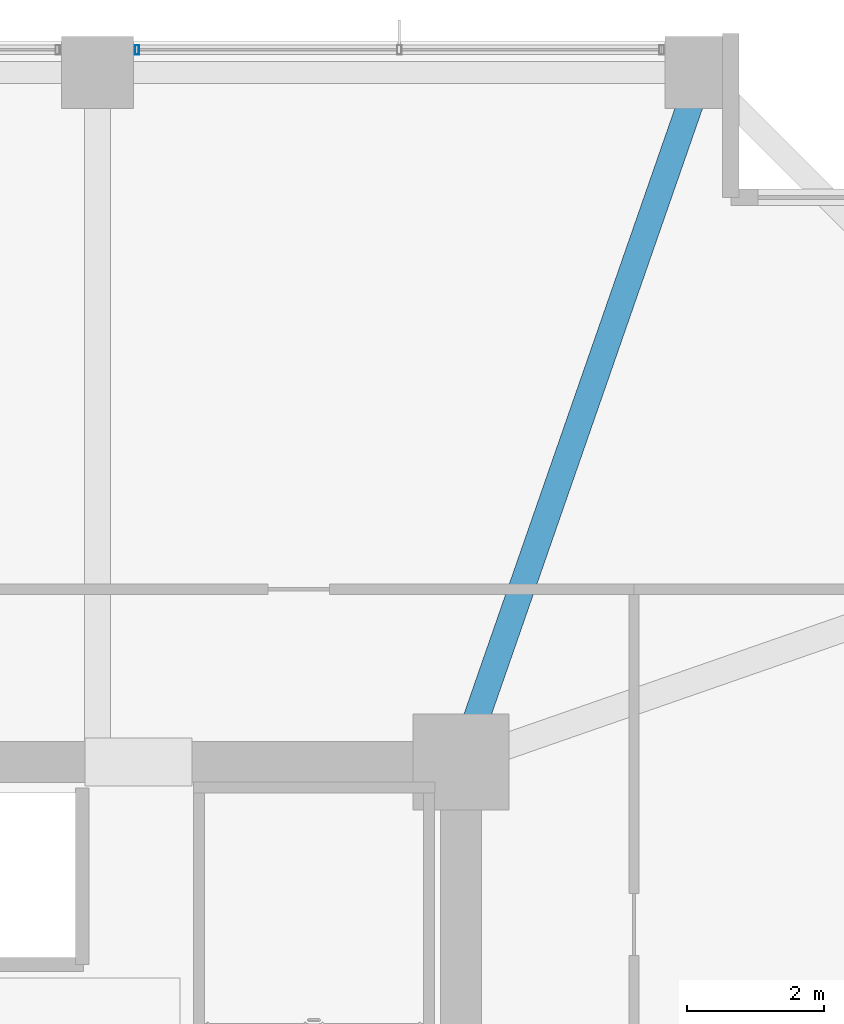
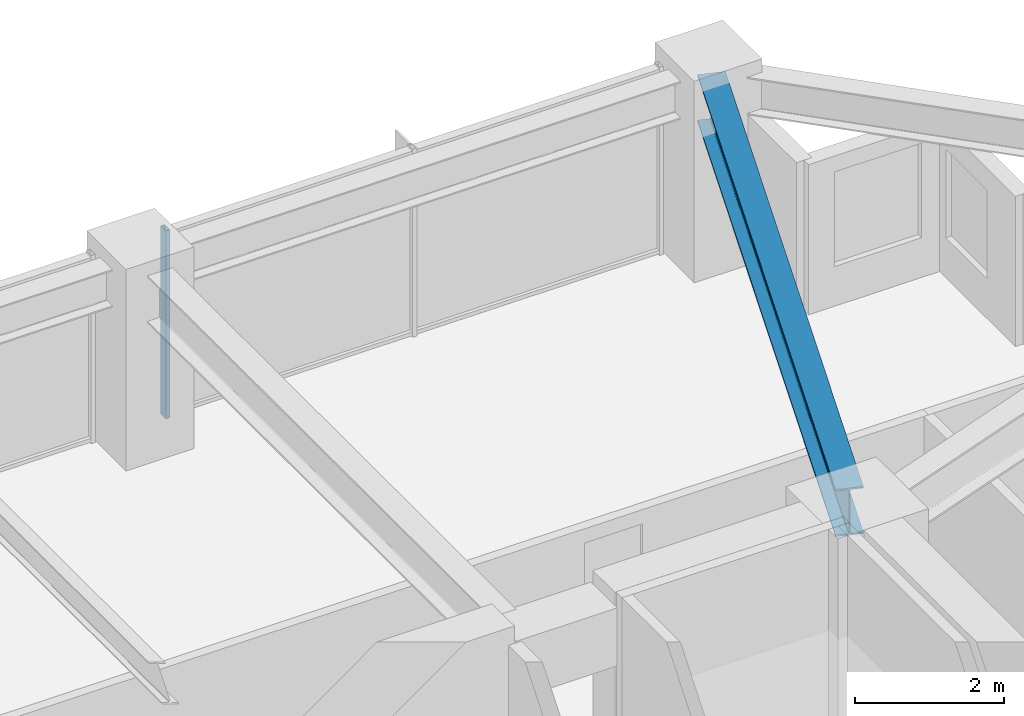
# One storey, part 22 of 36: 1 beam, 1 member, 1 element without a shape of its own.
"""IFC4 building model written with IfcOpenShell, lengths in metres."""

from ifc_helpers import new_model, si_unit, direction, frame, origin, origin_2d, place, context, subcontext, project, spatial, hollow_rectangle, i_section, extrude, material, material_profile, profile_set, type_object, element, aggregate, save


model = new_model("IFC4")

# Units and contexts
model_context = context("Model", 3, precision=1e-05, world=origin(), true_north=direction((0.0, 1.0)))
body_context = subcontext(model_context, "Body", "Model", "MODEL_VIEW")
ifc_project = project(units=[si_unit("LENGTHUNIT", "METRE"), si_unit("AREAUNIT", "SQUARE_METRE"), si_unit("VOLUMEUNIT", "CUBIC_METRE"), si_unit("PLANEANGLEUNIT", "RADIAN"), si_unit("MASSUNIT", "GRAM", prefix="KILO")], contexts=[model_context])

# Site, building, storey
site_placement = place(None, origin())
site = spatial("IfcSite", under=ifc_project, at=site_placement, CompositionType="ELEMENT")
building_placement = place(site_placement, origin())
building = spatial("IfcBuilding", under=site, at=building_placement, Name="Kolvaren Belvedere", CompositionType="ELEMENT")
storey_placement = place(building_placement, frame((0.0, 0.0, 92.0)))
storey = spatial("IfcBuildingStorey", under=building, at=storey_placement, Name="L26", CompositionType="ELEMENT", Elevation=92.0)

# Beam
ifc_material_1 = material(Name="Structural steel ASTM A992 Grade 50", Category="steel")
ifc_material_profile_1 = material_profile(ifc_material_1, i_section(OverallWidth=0.381103515625, OverallDepth=0.77294921875, WebThickness=0.0166015625, FlangeThickness=0.027099609375, FilletRadius=0.02392578125, at=origin_2d()), Name="W30X173")
ifc_profile_set_1 = profile_set([ifc_material_profile_1], Name="Structural steel ASTM A992 Grade 50")
beam_type = type_object("IfcBeamType", Name="BM-GIRD-W30X173", PredefinedType="BEAM", material=ifc_profile_set_1)
beam_placement = place(storey_placement, frame((10.080810546875, 10.41943359375, 2.693603515625), z_axis=(0.328880894453, 0.944371408538, 0.0), x_axis=(-0.944371408538, 0.328880894453, 0.0)))
element("IfcBeam", 1, at=beam_placement, inside=storey, type_object=beam_type, Name="L26 Corner Core-to-Perimeter Girder CC3-N4", PredefinedType="BEAM", context=body_context, shape_type="SweptSolid", body=[
    extrude(i_section(OverallWidth=0.381103515625, OverallDepth=0.77294921875, WebThickness=0.0166015625, FlangeThickness=0.027099609375, FilletRadius=0.02392578125, at=origin_2d()), origin(), (0.0, 0.0, 1.0), 9.882080078125),
])

# Curtain wall, member
ifc_material_2 = material(Name="Anodised pale-metal aluminium AA 6063-T6", Category="aluminium")
curtain_wall_type = type_object("IfcCurtainWallType", Name="CW-Z2-MID", PredefinedType="NOTDEFINED", material=ifc_material_2)
curtain_wall_placement = place(storey_placement, origin())
curtain_wall = element("IfcCurtainWall", 2, at=curtain_wall_placement, inside=storey, type_object=curtain_wall_type, Name="L26 Unitised Curtain Wall FCW-L26-N-B3", PredefinedType="NOTDEFINED")
ifc_material_3 = material(Name="Anodised pale-metal aluminium AA 6063-T6", Category="aluminium")
ifc_material_profile_2 = material_profile(ifc_material_3, hollow_rectangle(XDim=0.06494140625, YDim=0.139892578125, WallThickness=0.00390625, at=origin_2d()), Name="ALU-MUL-140X65")
ifc_profile_set_2 = profile_set([ifc_material_profile_2], Name="Anodised pale-metal aluminium AA 6063-T6")
member_type = type_object("IfcMemberType", Name="CW-MUL-140", PredefinedType="MULLION", material=ifc_profile_set_2)
member_placement = place(storey_placement, frame((5.177490234375, 20.280029296875, 0.0), z_axis=(0.0, 0.0, 1.0), x_axis=(1.0, 0.0, 0.0)))
member = element("IfcMember", 3, at=member_placement, type_object=member_type, Name="FCW-L26-N-B3 Unitised Mullion 1", PredefinedType="MULLION", context=body_context, shape_type="SweptSolid", body=[
    extrude(hollow_rectangle(XDim=0.06494140625, YDim=0.139892578125, WallThickness=0.00390625, at=origin_2d()), origin(), (0.0, 0.0, 1.0), 3.080078125),
])
aggregate(curtain_wall, [member])

save(model, "model.ifc")
